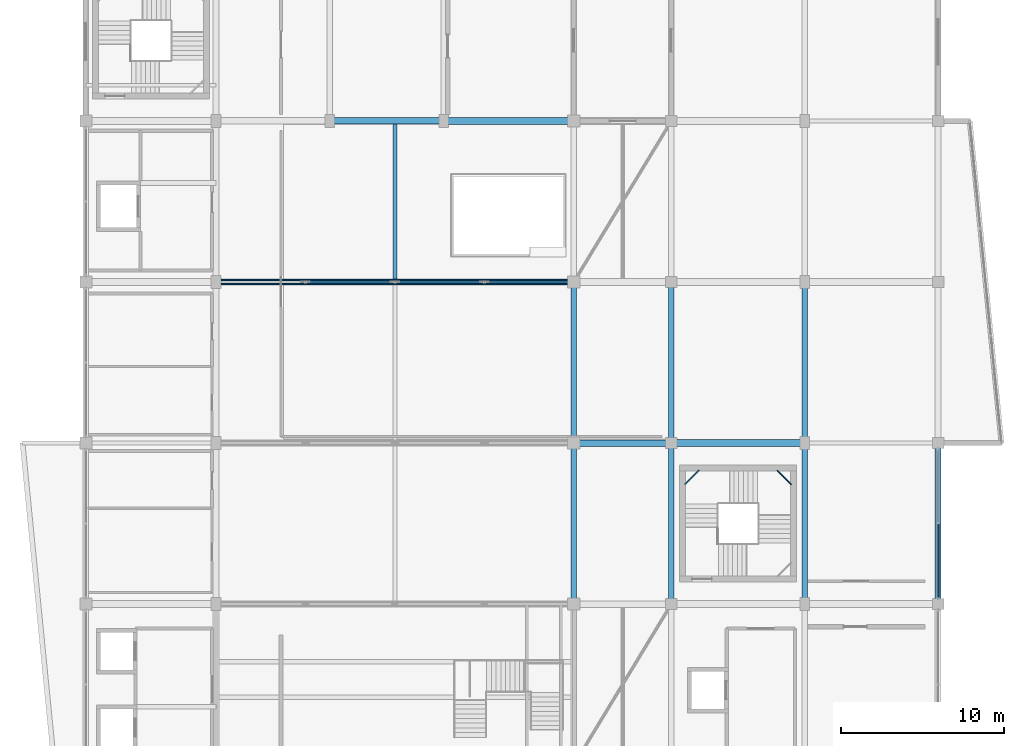
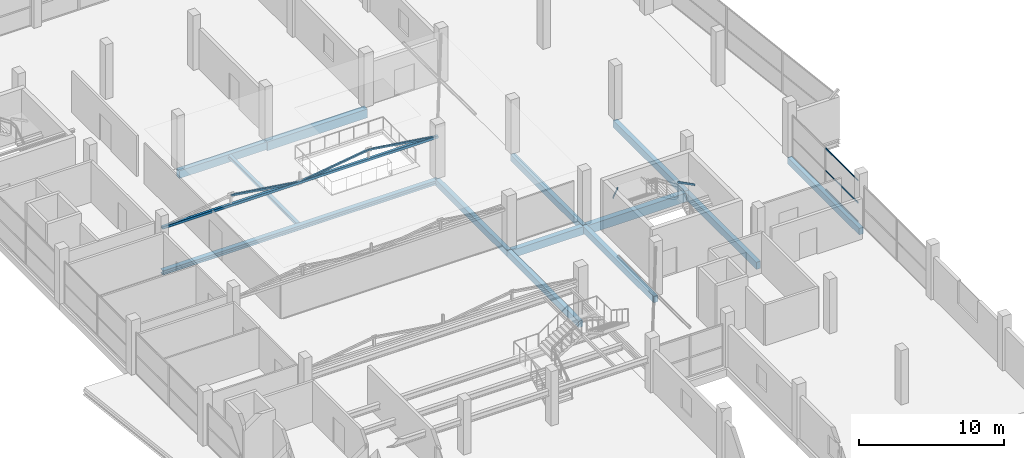
# One storey, part 25 of 55: 15 beams, 7 members, 1 element without a shape of its own.
"""IFC4 building model written with IfcOpenShell, lengths in metres."""

from ifc_helpers import new_model, si_unit, direction, frame, origin, origin_2d, place, context, subcontext, project, spatial, rectangle, hollow_rectangle, i_section, extrude, material, layer, layer_set, material_profile, profile_set, type_object, element, aggregate, save


model = new_model("IFC4")

# Units and contexts
model_context = context("Model", 3, precision=1e-05, world=origin(), true_north=direction((0.0, 1.0)))
body_context = subcontext(model_context, "Body", "Model", "MODEL_VIEW")
ifc_project = project(units=[si_unit("LENGTHUNIT", "METRE"), si_unit("AREAUNIT", "SQUARE_METRE"), si_unit("VOLUMEUNIT", "CUBIC_METRE"), si_unit("PLANEANGLEUNIT", "RADIAN"), si_unit("MASSUNIT", "GRAM", prefix="KILO")], contexts=[model_context])

# Site, building, storey
site_placement = place(None, origin())
site = spatial("IfcSite", under=ifc_project, at=site_placement, CompositionType="ELEMENT")
building_placement = place(site_placement, origin())
building = spatial("IfcBuilding", under=site, at=building_placement, Name="Sillaruma Civic Art Gallery", CompositionType="ELEMENT")
storey_placement = place(building_placement, frame((0.0, 0.0, 37.739990234375)))
storey = spatial("IfcBuildingStorey", under=building, at=storey_placement, Name="L07", CompositionType="ELEMENT", Elevation=37.739990234375)

# Beams
ifc_material_1 = material(Name="Concrete H35 (35 MPa)", Category="concrete")
ifc_material_profile_1 = material_profile(ifc_material_1, rectangle(XDim=0.35009765625, YDim=0.60009765625, at=origin_2d()), Name="RCB350x600")
ifc_profile_set_1 = profile_set([ifc_material_profile_1], Name="Concrete H35 (35 MPa)")
beam_type_1 = type_object("IfcBeamType", Name="BM-BEAM-RCB350x600", PredefinedType="BEAM", material=ifc_profile_set_1)
beam_1_placement = place(storey_placement, frame((106.199951171875, 49.5, -0.5400390625), z_axis=(0.0, 1.0, 0.0), x_axis=(-1.0, 0.0, 0.0)))
element("IfcBeam", 1, at=beam_1_placement, inside=storey, type_object=beam_type_1, Name="Beam BM-06 (L06:M:6-7)", PredefinedType="BEAM", context=body_context, shape_type="SweptSolid", body=[
    extrude(rectangle(XDim=0.35009765625, YDim=0.60009765625, at=origin_2d()), origin(), (0.0, 0.0, 1.0), 9.89990234375),
])
beam_2_placement = place(storey_placement, frame((106.199951171875, 59.39990234375, -0.5400390625), z_axis=(0.0, 1.0, 0.0), x_axis=(-1.0, 0.0, 0.0)))
element("IfcBeam", 2, at=beam_2_placement, inside=storey, type_object=beam_type_1, Name="Beam BM-06 (L06:M:7-8)", PredefinedType="BEAM", context=body_context, shape_type="SweptSolid", body=[
    extrude(rectangle(XDim=0.35009765625, YDim=0.60009765625, at=origin_2d()), origin(), (0.0, 0.0, 1.0), 9.900146484375),
])
ifc_material_profile_2 = material_profile(ifc_material_1, rectangle(XDim=0.39990234375, YDim=0.64990234375, at=origin_2d()), Name="RCB400x650")
ifc_profile_set_2 = profile_set([ifc_material_profile_2], Name="Concrete H35 (35 MPa)")
beam_type_2 = type_object("IfcBeamType", Name="BM-BEAM-RCB400x650", PredefinedType="BEAM", material=ifc_profile_set_2)
beam_3_placement = place(storey_placement, frame((92.0, 59.39990234375, -0.56494140625), z_axis=(1.0, 0.0, 0.0), x_axis=(0.0, 1.0, 0.0)))
element("IfcBeam", 3, at=beam_3_placement, inside=storey, type_object=beam_type_2, Name="Beam BM-05 (L06:7:K-L)", PredefinedType="BEAM", context=body_context, shape_type="SweptSolid", body=[
    extrude(rectangle(XDim=0.39990234375, YDim=0.64990234375, at=origin_2d()), origin(), (0.0, 0.0, 1.0), 6.0),
])
beam_4_placement = place(storey_placement, frame((77.0, 79.199951171875, -0.56494140625), z_axis=(1.0, 0.0, 0.0), x_axis=(0.0, 1.0, 0.0)))
element("IfcBeam", 4, at=beam_4_placement, inside=storey, type_object=beam_type_2, Name="Beam BM-05 (L06:9:H-J)", PredefinedType="BEAM", context=body_context, shape_type="SweptSolid", body=[
    extrude(rectangle(XDim=0.39990234375, YDim=0.64990234375, at=origin_2d()), origin(), (0.0, 0.0, 1.0), 7.0),
])
ifc_material_2 = material(Name="Concrete H40 (40 MPa)", Category="concrete")
ifc_material_profile_3 = material_profile(ifc_material_2, rectangle(XDim=0.449951171875, YDim=0.75, at=origin_2d()), Name="RCB450x750")
ifc_profile_set_3 = profile_set([ifc_material_profile_3], Name="Concrete H40 (40 MPa)")
beam_type_3 = type_object("IfcBeamType", Name="BM-BEAM-RCB450x750", PredefinedType="BEAM", material=ifc_profile_set_3)
beam_5_placement = place(storey_placement, frame((98.0, 59.39990234375, -0.614990234375), z_axis=(1.0, 0.0, 0.0), x_axis=(0.0, 1.0, 0.0)))
element("IfcBeam", 5, at=beam_5_placement, inside=storey, type_object=beam_type_3, Name="Beam BM-03 (L06:7:L-M)", PredefinedType="BEAM", context=body_context, shape_type="SweptSolid", body=[
    extrude(rectangle(XDim=0.449951171875, YDim=0.75, at=origin_2d()), origin(), (0.0, 0.0, 1.0), 8.199951171875),
])
beam_6_placement = place(storey_placement, frame((84.0, 79.199951171875, -0.614990234375), z_axis=(1.0, 0.0, 0.0), x_axis=(0.0, 1.0, 0.0)))
element("IfcBeam", 6, at=beam_6_placement, inside=storey, type_object=beam_type_3, Name="Beam BM-03 (L06:9:J-K)", PredefinedType="BEAM", context=body_context, shape_type="SweptSolid", body=[
    extrude(rectangle(XDim=0.449951171875, YDim=0.75, at=origin_2d()), origin(), (0.0, 0.0, 1.0), 8.0),
])
ifc_material_3 = material(Name="Structural Steel ASTM A992 Gr.50", Category="steel")
ifc_material_profile_4 = material_profile(ifc_material_3, i_section(OverallWidth=0.256103515625, OverallDepth=0.260009765625, WebThickness=0.0107421875, FlangeThickness=0.017333984375, FilletRadius=0.012939453125, at=origin_2d()), Name="W250x89")
ifc_profile_set_4 = profile_set([ifc_material_profile_4], Name="Structural Steel ASTM A992 Gr.50")
beam_type_4 = type_object("IfcBeamType", Name="BM-JOIST-W250x89", PredefinedType="JOIST", material=ifc_profile_set_4)
beam_7_placement = place(storey_placement, frame((81.0, 69.485595703125, -0.369873046875), z_axis=(0.0, 1.0, 0.0), x_axis=(-1.0, 0.0, 0.0)))
element("IfcBeam", 7, at=beam_7_placement, inside=storey, type_object=beam_type_4, Name="Long-Span Gallery Joist JS-04 (L06:8-9)", PredefinedType="JOIST", context=body_context, shape_type="SweptSolid", body=[
    extrude(i_section(OverallWidth=0.256103515625, OverallDepth=0.260009765625, WebThickness=0.0107421875, FlangeThickness=0.017333984375, FilletRadius=0.012939453125, at=origin_2d()), origin(), (0.0, 0.0, 1.0), 9.514404296875),
])
ifc_material_4 = material(Name="Structural Steel ASTM A500 Gr.C", Category="steel")
ifc_material_profile_5 = material_profile(ifc_material_4, hollow_rectangle(XDim=0.080078125, YDim=0.159912109375, WallThickness=0.008056640625, InnerFilletRadius=0.008056640625, OuterFilletRadius=0.01611328125, at=origin_2d()), Name="HSS160x80x8")
ifc_profile_set_5 = profile_set([ifc_material_profile_5], Name="Structural Steel ASTM A500 Gr.C")
beam_type_5 = type_object("IfcBeamType", Name="BM-LND-HSS160", PredefinedType="BEAM", material=ifc_profile_set_5)
for number, where, z_axis, x_axis, name in (
    (8, (104.489990234375, 57.72998046875, 2.10009765625), (0.707106781187, -0.707106781187, 0.0), (0.707106781187, 0.707106781187, 0.0), "Stair Corner Landing Trimmer Beam (ST-04-L07-2)"),
    (9, (98.820068359375, 56.840087890625, 3.2900390625), (0.707106781187, 0.707106781187, 0.0), (-0.707106781187, 0.707106781187, 0.0), "Stair Corner Landing Trimmer Beam (ST-04-L07-3)"),
):
    element("IfcBeam", number, at=place(storey_placement, frame(where, z_axis=z_axis, x_axis=x_axis)), inside=storey, type_object=beam_type_5, Name=name, PredefinedType="BEAM", context=body_context, shape_type="SweptSolid", body=[
        extrude(hollow_rectangle(XDim=0.080078125, YDim=0.159912109375, WallThickness=0.008056640625, InnerFilletRadius=0.008056640625, OuterFilletRadius=0.01611328125, at=origin_2d()), origin(), (0.0, 0.0, 1.0), 1.258544921875),
    ])
ifc_material_profile_6 = material_profile(ifc_material_1, rectangle(XDim=0.35009765625, YDim=0.550048828125, at=origin_2d()), Name="RCB350x550")
ifc_profile_set_6 = profile_set([ifc_material_profile_6], Name="Concrete H35 (35 MPa)")
beam_type_6 = type_object("IfcBeamType", Name="BM-SPANDREL-RCB350x550", PredefinedType="SPANDREL", material=ifc_profile_set_6)
beam_8_placement = place(storey_placement, frame((92.0, 49.5, -0.514892578125), z_axis=(0.0, 1.0, 0.0), x_axis=(-1.0, 0.0, 0.0)))
element("IfcBeam", 10, at=beam_8_placement, inside=storey, type_object=beam_type_6, Name="Beam BS-04 (L06:K:6-7)", PredefinedType="SPANDREL", context=body_context, shape_type="SweptSolid", body=[
    extrude(rectangle(XDim=0.35009765625, YDim=0.550048828125, at=origin_2d()), origin(), (0.0, 0.0, 1.0), 9.89990234375),
])
beam_9_placement = place(storey_placement, frame((92.0, 59.39990234375, -0.514892578125), z_axis=(0.0, 1.0, 0.0), x_axis=(-1.0, 0.0, 0.0)))
element("IfcBeam", 11, at=beam_9_placement, inside=storey, type_object=beam_type_6, Name="Beam BS-04 (L06:K:7-8)", PredefinedType="SPANDREL", context=body_context, shape_type="SweptSolid", body=[
    extrude(rectangle(XDim=0.35009765625, YDim=0.550048828125, at=origin_2d()), origin(), (0.0, 0.0, 1.0), 9.900146484375),
])
beam_10_placement = place(storey_placement, frame((98.0, 49.5, -0.514892578125), z_axis=(0.0, 1.0, 0.0), x_axis=(-1.0, 0.0, 0.0)))
element("IfcBeam", 12, at=beam_10_placement, inside=storey, type_object=beam_type_6, Name="Beam BS-04 (L06:L:6-7)", PredefinedType="SPANDREL", context=body_context, shape_type="SweptSolid", body=[
    extrude(rectangle(XDim=0.35009765625, YDim=0.550048828125, at=origin_2d()), origin(), (0.0, 0.0, 1.0), 9.89990234375),
])
beam_11_placement = place(storey_placement, frame((98.0, 59.39990234375, -0.514892578125), z_axis=(0.0, 1.0, 0.0), x_axis=(-1.0, 0.0, 0.0)))
element("IfcBeam", 13, at=beam_11_placement, inside=storey, type_object=beam_type_6, Name="Beam BS-04 (L06:L:7-8)", PredefinedType="SPANDREL", context=body_context, shape_type="SweptSolid", body=[
    extrude(rectangle(XDim=0.35009765625, YDim=0.550048828125, at=origin_2d()), origin(), (0.0, 0.0, 1.0), 9.900146484375),
])
beam_12_placement = place(storey_placement, frame((114.39990234375, 49.5, -0.514892578125), z_axis=(0.0, 1.0, 0.0), x_axis=(-1.0, 0.0, 0.0)))
element("IfcBeam", 14, at=beam_12_placement, inside=storey, type_object=beam_type_6, Name="Beam BS-04 (L06:N:6-7)", PredefinedType="SPANDREL", context=body_context, shape_type="SweptSolid", body=[
    extrude(rectangle(XDim=0.35009765625, YDim=0.550048828125, at=origin_2d()), origin(), (0.0, 0.0, 1.0), 9.89990234375),
])
ifc_material_profile_7 = material_profile(ifc_material_3, i_section(OverallWidth=0.37109375, OverallDepth=0.364013671875, WebThickness=0.01318359375, FlangeThickness=0.021728515625, FilletRadius=0.014892578125, at=origin_2d()), Name="W360x162")
ifc_profile_set_7 = profile_set([ifc_material_profile_7], Name="Structural Steel ASTM A992 Gr.50")
beam_type_7 = type_object("IfcBeamType", Name="BM-TRTOP-W360x162", PredefinedType="BEAM", material=ifc_profile_set_7)
beam_13_placement = place(storey_placement, frame((70.0, 69.300048828125, -0.421875), z_axis=(1.0, 0.0, 0.0), x_axis=(0.0, 1.0, 0.0)))
element("IfcBeam", 15, at=beam_13_placement, inside=storey, type_object=beam_type_7, Name="Warren Truss Top Chord TR-L06-3", PredefinedType="BEAM", context=body_context, shape_type="SweptSolid", body=[
    extrude(i_section(OverallWidth=0.37109375, OverallDepth=0.364013671875, WebThickness=0.01318359375, FlangeThickness=0.021728515625, FilletRadius=0.014892578125, at=origin_2d()), origin(), (0.0, 0.0, 1.0), 22.0),
])

# Members
ifc_material_profile_8 = material_profile(ifc_material_4, hollow_rectangle(XDim=0.14990234375, YDim=0.14990234375, WallThickness=0.010009765625, InnerFilletRadius=0.010009765625, OuterFilletRadius=0.02001953125, at=origin_2d()), Name="HSS150x150x10")
ifc_profile_set_8 = profile_set([ifc_material_profile_8], Name="Structural Steel ASTM A500 Gr.C")
member_type_1 = type_object("IfcMemberType", Name="MEM-BRACE-HSS150x150x10", PredefinedType="BRACE", material=ifc_profile_set_8)
for number, where, z_axis, x_axis, name in (
    (16, (75.5, 69.300048828125, 4.1279296875), (0.989384036218, 0.0, -0.145324563914), (0.0, 1.0, 0.0), "Warren Truss Diagonal TR-L07-3-D2"),
    (17, (81.0, 69.300048828125, 3.320068359375), (0.989384036218, 0.0, 0.145324563914), (0.0, 1.0, 0.0), "Warren Truss Diagonal TR-L07-3-D3"),
    (18, (86.5, 69.300048828125, 4.1279296875), (0.989384036218, 0.0, -0.145324563914), (0.0, 1.0, 0.0), "Warren Truss Diagonal TR-L07-3-D4"),
):
    element("IfcMember", number, at=place(storey_placement, frame(where, z_axis=z_axis, x_axis=x_axis)), inside=storey, type_object=member_type_1, Name=name, PredefinedType="BRACE", context=body_context, shape_type="SweptSolid", body=[
        extrude(hollow_rectangle(XDim=0.14990234375, YDim=0.14990234375, WallThickness=0.010009765625, InnerFilletRadius=0.010009765625, OuterFilletRadius=0.02001953125, at=origin_2d()), origin(), (0.0, 0.0, 1.0), 5.55908203125),
    ])
ifc_material_profile_9 = material_profile(ifc_material_4, hollow_rectangle(XDim=0.219970703125, YDim=0.219970703125, WallThickness=0.012451171875, InnerFilletRadius=0.012451171875, OuterFilletRadius=0.02490234375, at=origin_2d()), Name="HSS220x220x12.5")
ifc_profile_set_9 = profile_set([ifc_material_profile_9], Name="Structural Steel ASTM A500 Gr.C")
member_type_2 = type_object("IfcMemberType", Name="MEM-CHORD-HSS220x220x12.5", PredefinedType="CHORD", material=ifc_profile_set_9)
member_1_placement = place(storey_placement, frame((70.0, 69.300048828125, 3.320068359375), z_axis=(1.0, 0.0, 0.0), x_axis=(0.0, 1.0, 0.0)))
element("IfcMember", 19, at=member_1_placement, inside=storey, type_object=member_type_2, Name="Warren Truss Bottom Chord TR-L07-3", PredefinedType="CHORD", context=body_context, shape_type="SweptSolid", body=[
    extrude(hollow_rectangle(XDim=0.219970703125, YDim=0.219970703125, WallThickness=0.012451171875, InnerFilletRadius=0.012451171875, OuterFilletRadius=0.02490234375, at=origin_2d()), origin(), (0.0, 0.0, 1.0), 22.0),
])

# Curtain wall, members
ifc_material_5 = material(Name="Thermally Broken Extruded Aluminium 6063-T6", Category="aluminium")
ifc_layer = layer(ifc_material_5, 0.159912109375, Name="Thermally Broken Extruded Aluminium 6063-T6")
ifc_layer_set = layer_set([ifc_layer], Name="Thermally Broken Extruded Aluminium 6063-T6")
curtain_wall_type = type_object("IfcCurtainWallType", Name="CW-UNI-47", PredefinedType="NOTDEFINED", material=ifc_layer_set)
curtain_wall_placement = place(storey_placement, origin())
curtain_wall = element("IfcCurtainWall", 20, at=curtain_wall_placement, inside=storey, type_object=curtain_wall_type, Name="Unitised Curtain Wall CW-47 (CW-L07-E-4)", PredefinedType="NOTDEFINED")
ifc_material_profile_10 = material_profile(ifc_material_5, hollow_rectangle(XDim=0.06005859375, YDim=0.10009765625, WallThickness=0.003173828125, at=origin_2d()), Name="CWT60x100")
ifc_profile_set_10 = profile_set([ifc_material_profile_10], Name="Thermally Broken Extruded Aluminium 6063-T6")
member_type_3 = type_object("IfcMemberType", Name="MEM-TRN-CWT60x100", PredefinedType="USERDEFINED", material=ifc_profile_set_10)
member_2_placement = place(storey_placement, frame((114.39990234375, 49.9150390625, 0.030029296875), z_axis=(0.0, 1.0, 0.0), x_axis=(-1.0, 0.0, 0.0)))
member_2 = element("IfcMember", 21, at=member_2_placement, type_object=member_type_3, Name="CW-47 transom 1.1", ObjectType="TRANSOM", PredefinedType="USERDEFINED", context=body_context, shape_type="SweptSolid", body=[
    extrude(hollow_rectangle(XDim=0.06005859375, YDim=0.10009765625, WallThickness=0.003173828125, at=origin_2d()), origin(), (0.0, 0.0, 1.0), 4.50244140625),
])
member_3_placement = place(storey_placement, frame((114.39990234375, 49.9150390625, 1.623779296875), z_axis=(0.0, 1.0, 0.0), x_axis=(-1.0, 0.0, 0.0)))
member_3 = element("IfcMember", 22, at=member_3_placement, type_object=member_type_3, Name="CW-47 transom 1.2", ObjectType="TRANSOM", PredefinedType="USERDEFINED", context=body_context, shape_type="SweptSolid", body=[
    extrude(hollow_rectangle(XDim=0.06005859375, YDim=0.10009765625, WallThickness=0.003173828125, at=origin_2d()), origin(), (0.0, 0.0, 1.0), 4.50244140625),
])
member_4_placement = place(storey_placement, frame((114.39990234375, 49.9150390625, 3.5), z_axis=(0.0, 1.0, 0.0), x_axis=(-1.0, 0.0, 0.0)))
member_4 = element("IfcMember", 23, at=member_4_placement, type_object=member_type_3, Name="CW-47 transom 1.3", ObjectType="TRANSOM", PredefinedType="USERDEFINED", context=body_context, shape_type="SweptSolid", body=[
    extrude(hollow_rectangle(XDim=0.06005859375, YDim=0.10009765625, WallThickness=0.003173828125, at=origin_2d()), origin(), (0.0, 0.0, 1.0), 4.50244140625),
])
aggregate(curtain_wall, [member_2, member_3, member_4])

save(model, "model.ifc")
